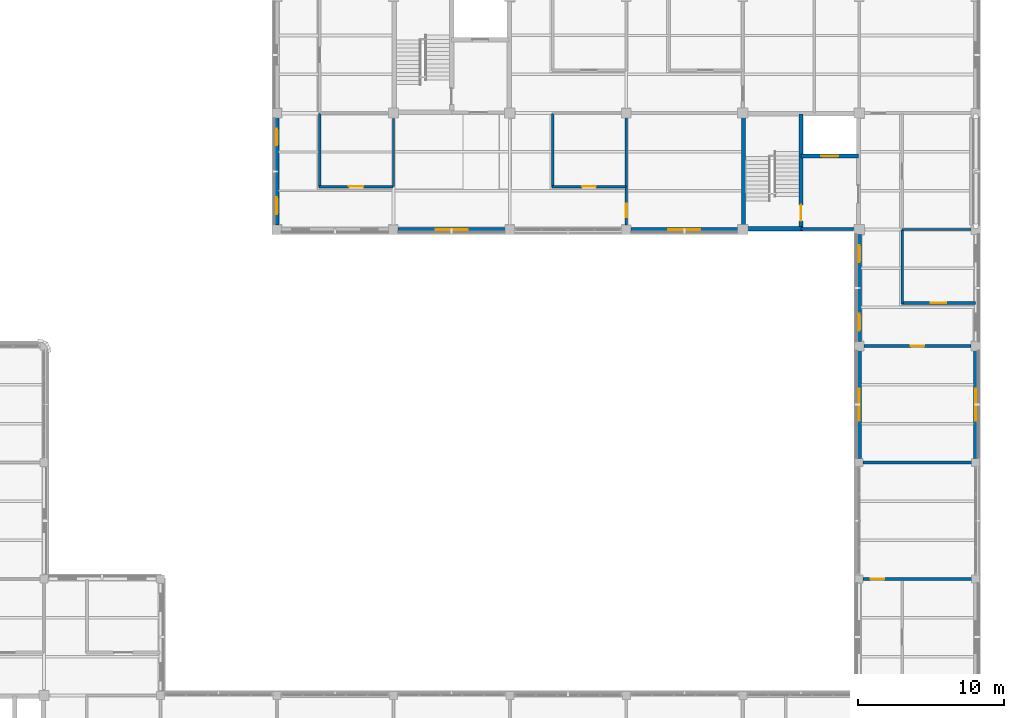
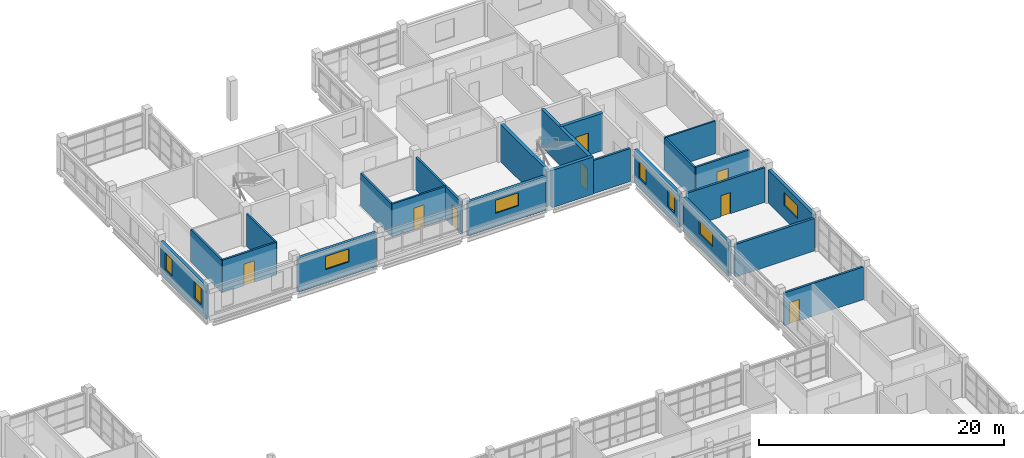
# One storey, part 86 of 107: 23 walls, 8 doors, 8 windows, 16 openings.
"""IFC4 building model written with IfcOpenShell, lengths in metres."""

import ifcopenshell
import ifcopenshell.guid

model = None  # the IFC model being written
_history = None  # IfcOwnerHistory: only IFC2X3 demands one
_inside = {}  # id of a spatial element -> (the spatial element, [elements in it])
_under = {}  # id of a project, library or spatial element -> (it, [spatial elements below it])
_declared = {}  # id of a project -> (the project, [libraries it declares])
_typed = {}  # id of a type object -> (the type object, [elements of that type])
_made_of = {}  # id of a material, layer set ... -> (it, [elements and type objects made of it])


def new_model(schema):
    """Start an empty IFC model of exactly this schema.

    Asked for "IFC4X3", IfcOpenShell would pick the latest addendum, in which some entities
    have other attributes; the version numbers below select the first issue.
    IFC2X3 requires an IfcOwnerHistory on every rooted entity: one is made here for all.
    """
    global model, _history
    if schema == "IFC4X3":
        model = ifcopenshell.file(schema_version=(4, 3, 0, 0))
    else:
        model = ifcopenshell.file(schema=schema)
    _inside.clear()
    _under.clear()
    _declared.clear()
    _typed.clear()
    _made_of.clear()
    _history = None
    if model.schema == "IFC2X3":
        org = make("IfcOrganization", Name="unknown")
        user = make(
            "IfcPersonAndOrganization",
            ThePerson=make("IfcPerson", FamilyName="unknown"),
            TheOrganization=org,
        )
        app = make(
            "IfcApplication",
            ApplicationDeveloper=org,
            Version="unknown",
            ApplicationFullName="unknown",
            ApplicationIdentifier="unknown",
        )
        _history = make(
            "IfcOwnerHistory",
            OwningUser=user,
            OwningApplication=app,
            ChangeAction="ADDED",
            CreationDate=0,
        )
    return model


def make(cls, **values):
    """One entity of the class cls with the attributes given. An attribute that is None is left unset."""
    return model.create_entity(
        cls, **{name: value for name, value in values.items() if value is not None}
    )


def rooted(cls, **values):
    """An entity with a GlobalId (a new one), such as an element, a storey or a relation."""
    return make(cls, GlobalId=ifcopenshell.guid.new(), OwnerHistory=_history, **values)


def si_unit(unit_type, name, prefix=None):
    """IfcSIUnit, for example si_unit("LENGTHUNIT", "METRE", prefix="MILLI")."""
    return make("IfcSIUnit", UnitType=unit_type, Prefix=prefix, Name=name)


def derived_unit(unit_type, elements):
    """IfcDerivedUnit: a product of units, each with its exponent."""
    return make(
        "IfcDerivedUnit",
        Elements=[
            make("IfcDerivedUnitElement", Unit=unit, Exponent=power)
            for unit, power in elements
        ],
        UnitType=unit_type,
    )


def assignment(units):
    """IfcUnitAssignment: the units of a project."""
    return None if units is None else make("IfcUnitAssignment", Units=units)


def point(xyz):
    """IfcCartesianPoint."""
    return None if xyz is None else make("IfcCartesianPoint", Coordinates=xyz)


def direction(xyz):
    """IfcDirection."""
    return None if xyz is None else make("IfcDirection", DirectionRatios=xyz)


def frame(location, z_axis=None, x_axis=None):
    """IfcAxis2Placement3D, a coordinate frame: its origin and axes. An axis left out is left unset."""
    return make(
        "IfcAxis2Placement3D",
        Location=point(location),
        Axis=direction(z_axis),
        RefDirection=direction(x_axis),
    )


def frame_2d(location, x_axis=None):
    """IfcAxis2Placement2D, a coordinate frame in the plane: its origin and x axis."""
    return make(
        "IfcAxis2Placement2D", Location=point(location), RefDirection=direction(x_axis)
    )


def origin():
    """The frame at (0, 0, 0) with its axes left unset."""
    return frame((0.0, 0.0, 0.0))


def place(relative_to, where):
    """IfcLocalPlacement: puts the frame where relative to a parent placement (None: the world)."""
    return make(
        "IfcLocalPlacement", PlacementRelTo=relative_to, RelativePlacement=where
    )


def context(
    kind, dimensions, precision=None, world=None, true_north=None, identifier=None
):
    """IfcGeometricRepresentationContext, for example the 3D "Model" context."""
    return make(
        "IfcGeometricRepresentationContext",
        ContextIdentifier=identifier,
        ContextType=kind,
        CoordinateSpaceDimension=dimensions,
        Precision=precision,
        WorldCoordinateSystem=world,
        TrueNorth=true_north,
    )


def subcontext(parent, identifier, kind, view, scale=None):
    """IfcGeometricRepresentationSubContext, for example "Body" below "Model"."""
    return make(
        "IfcGeometricRepresentationSubContext",
        ContextIdentifier=identifier,
        ContextType=kind,
        ParentContext=parent,
        TargetScale=scale,
        TargetView=view,
    )


def project(units=None, contexts=None):
    """IfcProject with its units and contexts."""
    return rooted(
        "IfcProject",
        Name="project",
        RepresentationContexts=contexts,
        UnitsInContext=assignment(units),
    )


def spatial(cls, under=None, at=None, **own):
    """A site, building, storey or space (cls), placed at a placement, below another one or the project."""
    s = rooted(cls, ObjectPlacement=at, **own)
    if under is not None:
        _under.setdefault(under.id(), (under, []))[1].append(s)
    return s


def profile(cls, at=None, kind="AREA", **sizes):
    """A parametric profile (cls). Its sizes go by their IFC names, for example OverallWidth=200.0."""
    return make(cls, ProfileType=kind, Position=at, **sizes)


def rectangle(**sizes):
    """IfcRectangleProfileDef."""
    return profile("IfcRectangleProfileDef", **sizes)


def extrude(swept, where, along, depth):
    """IfcExtrudedAreaSolid: the profile swept, set in the frame where, extruded along a direction by depth."""
    return make(
        "IfcExtrudedAreaSolid",
        SweptArea=swept,
        Position=where,
        ExtrudedDirection=direction(along),
        Depth=depth,
    )


def shape(context_of_items, identifier, shape_type, items):
    """IfcShapeRepresentation: the items that make up one representation, for example the "Body"."""
    return make(
        "IfcShapeRepresentation",
        ContextOfItems=context_of_items,
        RepresentationIdentifier=identifier,
        RepresentationType=shape_type,
        Items=items,
    )


def material(Name=None, Category=None):
    """IfcMaterial."""
    return make("IfcMaterial", Name=Name, Category=Category)


def layer(
    of_material, thickness, ventilated=None, Name=None, Category=None, Priority=None
):
    """IfcMaterialLayer: one layer of a wall or slab, of a material (None: an air gap)."""
    return make(
        "IfcMaterialLayer",
        Material=of_material,
        LayerThickness=thickness,
        IsVentilated=ventilated,
        Name=Name,
        Category=Category,
        Priority=Priority,
    )


def layer_set(layers, Name=None):
    """IfcMaterialLayerSet."""
    return make("IfcMaterialLayerSet", MaterialLayers=layers, LayerSetName=Name)


def made_of(thing, what):
    """Note that an element or type object is made of a material, layer set ...; save() writes the relation."""
    if what is not None:
        _made_of.setdefault(what.id(), (what, []))[1].append(thing)
    return thing


def type_object(cls, material=None, **own):
    """A type object (cls), such as IfcWallType, which elements share."""
    return made_of(rooted(cls, **own), material)


def element(
    cls,
    number,
    at=None,
    inside=None,
    cuts=None,
    type_object=None,
    material=None,
    context=None,
    identifier="Body",
    shape_type=None,
    held_by="IfcProductDefinitionShape",
    body=None,
    shapes=None,
    **own,
):
    """One element of the class cls, such as IfcWall. Its Tag is "e" and its number.

    at: its placement. inside: the storey or other place that contains it. cuts: it is an
    opening in that element (IfcRelVoidsElement). A single representation is given by context,
    identifier, shape_type and body (its items); several are given by shapes. held_by: the class
    of the entity that holds the representations. save() writes the other relations.
    """
    e = rooted(cls, Tag="e%d" % number, ObjectPlacement=at, **own)
    if body is not None:
        shapes = [shape(context, identifier, shape_type, body)]
    if shapes is not None:
        e.Representation = make(held_by, Representations=shapes)
    if inside is not None:
        _inside.setdefault(inside.id(), (inside, []))[1].append(e)
    if cuts is not None:
        rooted(
            "IfcRelVoidsElement", RelatingBuildingElement=cuts, RelatedOpeningElement=e
        )
    if type_object is not None:
        _typed.setdefault(type_object.id(), (type_object, []))[1].append(e)
    return made_of(e, material)


def fill(opening, filler):
    """IfcRelFillsElement: the door or window that sits in an opening."""
    return rooted(
        "IfcRelFillsElement",
        RelatingOpeningElement=opening,
        RelatedBuildingElement=filler,
    )


def aggregate(whole, parts):
    """IfcRelAggregates: a whole, such as a stair, and the parts it consists of."""
    return rooted("IfcRelAggregates", RelatingObject=whole, RelatedObjects=parts)


def save(model, path):
    """Write the relations noted so far, then the file.

    IfcRelAggregates (storeys below a building ...), IfcRelContainedInSpatialStructure (elements
    in a storey), IfcRelDefinesByType, IfcRelAssociatesMaterial and IfcRelDeclares: one each for
    every whole, place, type object, material and project.
    """
    for whole, parts in _under.values():
        aggregate(whole, parts)
    for where, things in _inside.values():
        rooted(
            "IfcRelContainedInSpatialStructure",
            RelatedElements=things,
            RelatingStructure=where,
        )
    for kind, things in _typed.values():
        rooted("IfcRelDefinesByType", RelatedObjects=things, RelatingType=kind)
    for what, things in _made_of.values():
        rooted("IfcRelAssociatesMaterial", RelatedObjects=things, RelatingMaterial=what)
    for by, libraries in _declared.values():
        rooted("IfcRelDeclares", RelatingContext=by, RelatedDefinitions=libraries)
    model.write(path)


model = new_model("IFC4")

# Units and contexts
model_context = context("Model", 3, precision=1e-05, world=origin(), true_north=direction((0.0, 1.0)))
body_context = subcontext(model_context, "Body", "Model", "MODEL_VIEW")
ifc_project = project(units=[si_unit("LENGTHUNIT", "METRE"), si_unit("AREAUNIT", "SQUARE_METRE"), si_unit("VOLUMEUNIT", "CUBIC_METRE"), si_unit("PLANEANGLEUNIT", "RADIAN"), si_unit("MASSUNIT", "GRAM", prefix="KILO"), derived_unit("THERMALTRANSMITTANCEUNIT", [(si_unit("MASSUNIT", "GRAM", prefix="KILO"), 1), (si_unit("TIMEUNIT", "SECOND"), -3), (si_unit("THERMODYNAMICTEMPERATUREUNIT", "KELVIN"), -1)])], contexts=[model_context])

# Site, building, storey
site_placement = place(None, origin())
site = spatial("IfcSite", under=ifc_project, at=site_placement, CompositionType="ELEMENT")
building_placement = place(site_placement, origin())
building = spatial("IfcBuilding", under=site, at=building_placement, Name="Veyamyaing Civic Hall", CompositionType="ELEMENT")
storey_placement = place(building_placement, frame((0.0, 0.0, 13.860107421875)))
storey = spatial("IfcBuildingStorey", under=building, at=storey_placement, Name="L03", CompositionType="ELEMENT", Elevation=13.860107421875)

# Wall, openings, windows
ifc_material_1 = material(Name="Precast concrete C40/50", Category="concrete")
ifc_layer_1 = layer(ifc_material_1, 0.280029296875, Name="Precast concrete C40/50")
ifc_layer_set_1 = layer_set([ifc_layer_1], Name="Precast concrete C40/50")
wall_type_1 = type_object("IfcWallType", Name="WT-04", PredefinedType="SOLIDWALL", material=ifc_layer_set_1)
wall_1_placement = place(storey_placement, frame((128.0, 88.31005859375, 0.0), z_axis=(0.0, 0.0, 1.0), x_axis=(0.0, 1.0, 0.0)))
wall_1 = element("IfcWall", 1, at=wall_1_placement, inside=storey, type_object=wall_type_1, Name="Exterior facade wall WT-04 L03 W 17.12", PredefinedType="SOLIDWALL", context=body_context, shape_type="SweptSolid", body=[
    extrude(rectangle(XDim=7.3798828125, YDim=0.280029296875, at=frame_2d((3.68994140625, 0.0))), origin(), (0.0, 0.0, 1.0), 3.303955078125),
])
opening_1_placement = place(wall_1_placement, frame((0.75341796875, 0.0, 0.949951171875)))
opening_1 = element("IfcOpeningElement", 2, at=opening_1_placement, cuts=wall_1, Name="Opening W-32", PredefinedType="OPENING", context=body_context, shape_type="SweptSolid", body=[
    extrude(rectangle(XDim=1.14990234375, YDim=1.64990234375, at=frame_2d((0.574951171875, 0.824951171875))), frame((0.0, 0.14990234375, 0.0), z_axis=(0.0, -1.0, 0.0), x_axis=(1.0, 0.0, 0.0)), (0.0, 0.0, 1.0), 0.300048828125),
])
opening_2_placement = place(wall_1_placement, frame((5.4765625, 0.0, 0.949951171875)))
opening_2 = element("IfcOpeningElement", 3, at=opening_2_placement, cuts=wall_1, Name="Opening W-32", PredefinedType="OPENING", context=body_context, shape_type="SweptSolid", body=[
    extrude(rectangle(XDim=1.14990234375, YDim=1.64990234375, at=frame_2d((0.574951171875, 0.824951171875))), frame((0.0, 0.14990234375, 0.0), z_axis=(0.0, -1.0, 0.0), x_axis=(1.0, 0.0, 0.0)), (0.0, 0.0, 1.0), 0.300048828125),
])
ifc_material_2 = material(Name="Low-E insulated glass", Category="glass")
window_type_1 = type_object("IfcWindowType", Name="W-32", PartitioningType="SINGLE_PANEL", PredefinedType="WINDOW", material=ifc_material_2)
window_1_placement = place(opening_1_placement, origin())
window_1 = element("IfcWindow", 4, at=window_1_placement, inside=storey, type_object=window_type_1, Name="Facade window W-32 L03 W 17.12.1", OverallHeight=1.64990234375, OverallWidth=1.14990234375, PartitioningType="SINGLE_PANEL", PredefinedType="WINDOW", context=body_context, shape_type="SweptSolid", body=[
    extrude(rectangle(XDim=1.14990234375, YDim=1.64990234375, at=frame_2d((0.574951171875, 0.824951171875))), frame((0.0, 0.030029296875, 0.0), z_axis=(0.0, -1.0, 0.0), x_axis=(1.0, 0.0, 0.0)), (0.0, 0.0, 1.0), 0.06005859375),
])
fill(opening_1, window_1)
window_2_placement = place(opening_2_placement, origin())
window_2 = element("IfcWindow", 5, at=window_2_placement, inside=storey, type_object=window_type_1, Name="Facade window W-32 L03 W 17.12.2", OverallHeight=1.64990234375, OverallWidth=1.14990234375, PartitioningType="SINGLE_PANEL", PredefinedType="WINDOW", context=body_context, shape_type="SweptSolid", body=[
    extrude(rectangle(XDim=1.14990234375, YDim=1.64990234375, at=frame_2d((0.574951171875, 0.824951171875))), frame((0.0, 0.030029296875, 0.0), z_axis=(0.0, -1.0, 0.0), x_axis=(1.0, 0.0, 0.0)), (0.0, 0.0, 1.0), 0.06005859375),
])
fill(opening_2, window_2)

# Wall, opening, window
wall_2_placement = place(storey_placement, frame((136.31005859375, 88.0, 0.0), z_axis=(0.0, 0.0, 1.0), x_axis=(1.0, 0.0, 0.0)))
wall_2 = element("IfcWall", 6, at=wall_2_placement, inside=storey, type_object=wall_type_1, Name="Exterior facade wall WT-04 L03 S 18.12", PredefinedType="SOLIDWALL", context=body_context, shape_type="SweptSolid", body=[
    extrude(rectangle(XDim=7.3798828125, YDim=0.280029296875, at=frame_2d((3.68994140625, 0.0))), origin(), (0.0, 0.0, 1.0), 3.366943359375),
])
opening_3_placement = place(wall_2_placement, frame((2.590087890625, 0.0, 1.35009765625)))
opening_3 = element("IfcOpeningElement", 7, at=opening_3_placement, cuts=wall_2, Name="Opening W-18", PredefinedType="OPENING", context=body_context, shape_type="SweptSolid", body=[
    extrude(rectangle(XDim=2.199951171875, YDim=1.300048828125, at=frame_2d((1.10009765625, 0.64990234375))), frame((0.0, 0.14990234375, 0.0), z_axis=(0.0, -1.0, 0.0), x_axis=(1.0, 0.0, 0.0)), (0.0, 0.0, 1.0), 0.300048828125),
])
window_type_2 = type_object("IfcWindowType", Name="W-18", PartitioningType="SINGLE_PANEL", PredefinedType="WINDOW", material=ifc_material_2)
window_3_placement = place(opening_3_placement, origin())
window_3 = element("IfcWindow", 8, at=window_3_placement, inside=storey, type_object=window_type_2, Name="Facade window W-18 L03 S 18.12", OverallHeight=1.300048828125, OverallWidth=2.199951171875, PartitioningType="SINGLE_PANEL", PredefinedType="WINDOW", context=body_context, shape_type="SweptSolid", body=[
    extrude(rectangle(XDim=2.199951171875, YDim=1.300048828125, at=frame_2d((1.10009765625, 0.64990234375))), frame((0.0, 0.030029296875, 0.0), z_axis=(0.0, -1.0, 0.0), x_axis=(1.0, 0.0, 0.0)), (0.0, 0.0, 1.0), 0.06005859375),
])
fill(opening_3, window_3)

wall_3_placement = place(storey_placement, frame((152.31005859375, 88.0, 0.0), z_axis=(0.0, 0.0, 1.0), x_axis=(1.0, 0.0, 0.0)))
wall_3 = element("IfcWall", 9, at=wall_3_placement, inside=storey, type_object=wall_type_1, Name="Exterior facade wall WT-04 L03 S 20.12", PredefinedType="SOLIDWALL", context=body_context, shape_type="SweptSolid", body=[
    extrude(rectangle(XDim=7.35498046875, YDim=0.280029296875, at=frame_2d((3.677490234375, 0.0))), origin(), (0.0, 0.0, 1.0), 3.364013671875),
])
opening_4_placement = place(wall_3_placement, frame((2.577392578125, 0.0, 1.35009765625)))
opening_4 = element("IfcOpeningElement", 10, at=opening_4_placement, cuts=wall_3, Name="Opening W-18", PredefinedType="OPENING", context=body_context, shape_type="SweptSolid", body=[
    extrude(rectangle(XDim=2.199951171875, YDim=1.300048828125, at=frame_2d((1.10009765625, 0.64990234375))), frame((0.0, 0.14990234375, 0.0), z_axis=(0.0, -1.0, 0.0), x_axis=(1.0, 0.0, 0.0)), (0.0, 0.0, 1.0), 0.300048828125),
])
window_4_placement = place(opening_4_placement, origin())
window_4 = element("IfcWindow", 11, at=window_4_placement, inside=storey, type_object=window_type_2, Name="Facade window W-18 L03 S 20.12", OverallHeight=1.300048828125, OverallWidth=2.199951171875, PartitioningType="SINGLE_PANEL", PredefinedType="WINDOW", context=body_context, shape_type="SweptSolid", body=[
    extrude(rectangle(XDim=2.199951171875, YDim=1.300048828125, at=frame_2d((1.10009765625, 0.64990234375))), frame((0.0, 0.030029296875, 0.0), z_axis=(0.0, -1.0, 0.0), x_axis=(1.0, 0.0, 0.0)), (0.0, 0.0, 1.0), 0.06005859375),
])
fill(opening_4, window_4)

wall_4_placement = place(storey_placement, frame((168.0, 72.260009765625, 0.0), z_axis=(0.0, 0.0, 1.0), x_axis=(0.0, 1.0, 0.0)))
wall_4 = element("IfcWall", 12, at=wall_4_placement, inside=storey, type_object=wall_type_1, Name="Exterior facade wall WT-04 L03 W 22.10", PredefinedType="SOLIDWALL", context=body_context, shape_type="SweptSolid", body=[
    extrude(rectangle(XDim=7.429931640625, YDim=0.280029296875, at=frame_2d((3.71484375, 0.0))), origin(), (0.0, 0.0, 1.0), 3.364013671875),
])
opening_5_placement = place(wall_4_placement, frame((2.614990234375, 0.0, 1.35009765625)))
opening_5 = element("IfcOpeningElement", 13, at=opening_5_placement, cuts=wall_4, Name="Opening W-18", PredefinedType="OPENING", context=body_context, shape_type="SweptSolid", body=[
    extrude(rectangle(XDim=2.199951171875, YDim=1.300048828125, at=frame_2d((1.10009765625, 0.64990234375))), frame((0.0, 0.14990234375, 0.0), z_axis=(0.0, -1.0, 0.0), x_axis=(1.0, 0.0, 0.0)), (0.0, 0.0, 1.0), 0.300048828125),
])
window_5_placement = place(opening_5_placement, origin())
window_5 = element("IfcWindow", 14, at=window_5_placement, inside=storey, type_object=window_type_2, Name="Facade window W-18 L03 W 22.10", OverallHeight=1.300048828125, OverallWidth=2.199951171875, PartitioningType="SINGLE_PANEL", PredefinedType="WINDOW", context=body_context, shape_type="SweptSolid", body=[
    extrude(rectangle(XDim=2.199951171875, YDim=1.300048828125, at=frame_2d((1.10009765625, 0.64990234375))), frame((0.0, 0.030029296875, 0.0), z_axis=(0.0, -1.0, 0.0), x_axis=(1.0, 0.0, 0.0)), (0.0, 0.0, 1.0), 0.06005859375),
])
fill(opening_5, window_5)

wall_5_placement = place(storey_placement, frame((176.0, 72.260009765625, 0.0), z_axis=(0.0, 0.0, 1.0), x_axis=(0.0, 1.0, 0.0)))
wall_5 = element("IfcWall", 15, at=wall_5_placement, inside=storey, type_object=wall_type_1, Name="Exterior facade wall WT-04 L03 E 22.10", PredefinedType="SOLIDWALL", context=body_context, shape_type="SweptSolid", body=[
    extrude(rectangle(XDim=7.429931640625, YDim=0.280029296875, at=frame_2d((3.71484375, 0.0))), origin(), (0.0, 0.0, 1.0), 3.303955078125),
])
opening_6_placement = place(wall_5_placement, frame((2.614990234375, 0.0, 1.35009765625)))
opening_6 = element("IfcOpeningElement", 16, at=opening_6_placement, cuts=wall_5, Name="Opening W-18", PredefinedType="OPENING", context=body_context, shape_type="SweptSolid", body=[
    extrude(rectangle(XDim=2.199951171875, YDim=1.300048828125, at=frame_2d((1.10009765625, 0.64990234375))), frame((0.0, 0.14990234375, 0.0), z_axis=(0.0, -1.0, 0.0), x_axis=(1.0, 0.0, 0.0)), (0.0, 0.0, 1.0), 0.300048828125),
])
window_6_placement = place(opening_6_placement, origin())
window_6 = element("IfcWindow", 17, at=window_6_placement, inside=storey, type_object=window_type_2, Name="Facade window W-18 L03 E 22.10", OverallHeight=1.300048828125, OverallWidth=2.199951171875, PartitioningType="SINGLE_PANEL", PredefinedType="WINDOW", context=body_context, shape_type="SweptSolid", body=[
    extrude(rectangle(XDim=2.199951171875, YDim=1.300048828125, at=frame_2d((1.10009765625, 0.64990234375))), frame((0.0, 0.030029296875, 0.0), z_axis=(0.0, -1.0, 0.0), x_axis=(1.0, 0.0, 0.0)), (0.0, 0.0, 1.0), 0.06005859375),
])
fill(opening_6, window_6)

# Wall, openings, windows
wall_6_placement = place(storey_placement, frame((168.0, 80.31005859375, 0.0), z_axis=(0.0, 0.0, 1.0), x_axis=(0.0, 1.0, 0.0)))
wall_6 = element("IfcWall", 18, at=wall_6_placement, inside=storey, type_object=wall_type_1, Name="Exterior facade wall WT-04 L03 W 22.11", PredefinedType="SOLIDWALL", context=body_context, shape_type="SweptSolid", body=[
    extrude(rectangle(XDim=7.35498046875, YDim=0.280029296875, at=frame_2d((3.677490234375, 0.0))), origin(), (0.0, 0.0, 1.0), 3.303955078125),
])
opening_7_placement = place(wall_6_placement, frame((0.748779296875, 0.0, 0.949951171875)))
opening_7 = element("IfcOpeningElement", 19, at=opening_7_placement, cuts=wall_6, Name="Opening W-32", PredefinedType="OPENING", context=body_context, shape_type="SweptSolid", body=[
    extrude(rectangle(XDim=1.14990234375, YDim=1.64990234375, at=frame_2d((0.574951171875, 0.824951171875))), frame((0.0, 0.14990234375, 0.0), z_axis=(0.0, -1.0, 0.0), x_axis=(1.0, 0.0, 0.0)), (0.0, 0.0, 1.0), 0.300048828125),
])
opening_8_placement = place(wall_6_placement, frame((5.4560546875, 0.0, 0.949951171875)))
opening_8 = element("IfcOpeningElement", 20, at=opening_8_placement, cuts=wall_6, Name="Opening W-32", PredefinedType="OPENING", context=body_context, shape_type="SweptSolid", body=[
    extrude(rectangle(XDim=1.14990234375, YDim=1.64990234375, at=frame_2d((0.574951171875, 0.824951171875))), frame((0.0, 0.14990234375, 0.0), z_axis=(0.0, -1.0, 0.0), x_axis=(1.0, 0.0, 0.0)), (0.0, 0.0, 1.0), 0.300048828125),
])
window_7_placement = place(opening_7_placement, origin())
window_7 = element("IfcWindow", 21, at=window_7_placement, inside=storey, type_object=window_type_1, Name="Facade window W-32 L03 W 22.11.1", OverallHeight=1.64990234375, OverallWidth=1.14990234375, PartitioningType="SINGLE_PANEL", PredefinedType="WINDOW", context=body_context, shape_type="SweptSolid", body=[
    extrude(rectangle(XDim=1.14990234375, YDim=1.64990234375, at=frame_2d((0.574951171875, 0.824951171875))), frame((0.0, 0.030029296875, 0.0), z_axis=(0.0, -1.0, 0.0), x_axis=(1.0, 0.0, 0.0)), (0.0, 0.0, 1.0), 0.06005859375),
])
fill(opening_7, window_7)
window_8_placement = place(opening_8_placement, origin())
window_8 = element("IfcWindow", 22, at=window_8_placement, inside=storey, type_object=window_type_1, Name="Facade window W-32 L03 W 22.11.2", OverallHeight=1.64990234375, OverallWidth=1.14990234375, PartitioningType="SINGLE_PANEL", PredefinedType="WINDOW", context=body_context, shape_type="SweptSolid", body=[
    extrude(rectangle(XDim=1.14990234375, YDim=1.64990234375, at=frame_2d((0.574951171875, 0.824951171875))), frame((0.0, 0.030029296875, 0.0), z_axis=(0.0, -1.0, 0.0), x_axis=(1.0, 0.0, 0.0)), (0.0, 0.0, 1.0), 0.06005859375),
])
fill(opening_8, window_8)

# Walls
ifc_material_3 = material(Name="Concrete C40/50", Category="concrete")
ifc_layer_2 = layer(ifc_material_3, 0.300048828125, Name="Concrete C40/50")
ifc_layer_set_2 = layer_set([ifc_layer_2], Name="Concrete C40/50")
wall_type_2 = type_object("IfcWallType", Name="WT-05", PredefinedType="SHEAR", material=ifc_layer_set_2)
wall_7_placement = place(storey_placement, frame((160.050048828125, 88.239990234375, 0.0), z_axis=(0.0, 0.0, 1.0), x_axis=(0.0, 1.0, 0.0)))
element("IfcWall", 23, at=wall_7_placement, inside=storey, type_object=wall_type_2, Name="Core shear wall WT-05 CORE-3 L03.W", PredefinedType="SHEAR", context=body_context, shape_type="SweptSolid", body=[
    extrude(rectangle(XDim=7.52001953125, YDim=0.300048828125, at=frame_2d((3.760009765625, 0.0))), origin(), (0.0, 0.0, 1.0), 3.724853515625),
])
wall_8_placement = place(storey_placement, frame((160.239990234375, 88.050048828125, 0.0), z_axis=(0.0, 0.0, 1.0), x_axis=(1.0, 0.0, 0.0)))
element("IfcWall", 24, at=wall_8_placement, inside=storey, type_object=wall_type_2, Name="Core shear wall WT-05 CORE-3 L03.SS", PredefinedType="SHEAR", context=body_context, shape_type="SweptSolid", body=[
    extrude(rectangle(XDim=3.909912109375, YDim=0.300048828125, at=frame_2d((1.955078125, 0.0))), origin(), (0.0, 0.0, 1.0), 3.724853515625),
])

# Wall, opening, door
wall_9_placement = place(storey_placement, frame((164.0, 88.050048828125, 0.0), z_axis=(0.0, 0.0, 1.0), x_axis=(0.0, 1.0, 0.0)))
wall_9 = element("IfcWall", 25, at=wall_9_placement, inside=storey, type_object=wall_type_2, Name="Core shear wall WT-05 CORE-3 L03.MID", PredefinedType="SHEAR", context=body_context, shape_type="SweptSolid", body=[
    extrude(rectangle(XDim=7.89990234375, YDim=0.300048828125, at=frame_2d((3.949951171875, 0.0))), origin(), (0.0, 0.0, 1.0), 3.724853515625),
])
opening_9_placement = place(wall_9_placement, frame((0.550048828125, 0.0, 0.0)))
opening_9 = element("IfcOpeningElement", 26, at=opening_9_placement, cuts=wall_9, Name="Opening D-03", PredefinedType="OPENING", context=body_context, shape_type="SweptSolid", body=[
    extrude(rectangle(XDim=1.10009765625, YDim=2.14990234375, at=frame_2d((0.550048828125, 1.074951171875))), frame((0.0, 0.159912109375, 0.0), z_axis=(0.0, -1.0, 0.0), x_axis=(1.0, 0.0, 0.0)), (0.0, 0.0, 1.0), 0.320068359375),
])
ifc_material_4 = material(Name="Galvanized steel S355J2", Category="steel")
door_type_1 = type_object("IfcDoorType", Name="D-03", OperationType="NOTDEFINED", PredefinedType="DOOR", material=ifc_material_4)
door_1_placement = place(opening_9_placement, origin())
door_1 = element("IfcDoor", 27, at=door_1_placement, inside=storey, type_object=door_type_1, Name="Exit stair fire door D-03 ST-03 L03", OperationType="SINGLE_SWING_LEFT", OverallHeight=2.14990234375, OverallWidth=1.10009765625, PredefinedType="DOOR", context=body_context, shape_type="SweptSolid", body=[
    extrude(rectangle(XDim=1.10009765625, YDim=2.14990234375, at=frame_2d((0.550048828125, 1.074951171875))), frame((0.0, 0.02490234375, 0.0), z_axis=(0.0, -1.0, 0.0), x_axis=(1.0, 0.0, 0.0)), (0.0, 0.0, 1.0), 0.050048828125),
])
fill(opening_9, door_1)

wall_10_placement = place(storey_placement, frame((164.0, 93.050048828125, 0.0), z_axis=(0.0, 0.0, 1.0), x_axis=(1.0, 0.0, 0.0)))
wall_10 = element("IfcWall", 28, at=wall_10_placement, inside=storey, type_object=wall_type_2, Name="Core shear wall WT-05 CORE-3 L03.LFT", PredefinedType="SHEAR", context=body_context, shape_type="SweptSolid", body=[
    extrude(rectangle(XDim=3.949951171875, YDim=0.300048828125, at=frame_2d((1.97509765625, 0.0))), origin(), (0.0, 0.0, 1.0), 3.724853515625),
])
opening_10_placement = place(wall_10_placement, frame((1.375, 0.0, 0.0)))
opening_10 = element("IfcOpeningElement", 29, at=opening_10_placement, cuts=wall_10, Name="Opening LD-02", PredefinedType="OPENING", context=body_context, shape_type="SweptSolid", body=[
    extrude(rectangle(XDim=1.199951171875, YDim=2.199951171875, at=frame_2d((0.60009765625, 1.10009765625))), frame((0.0, 0.159912109375, 0.0), z_axis=(0.0, -1.0, 0.0), x_axis=(1.0, 0.0, 0.0)), (0.0, 0.0, 1.0), 0.320068359375),
])
door_type_2 = type_object("IfcDoorType", Name="LD-02", OperationType="SLIDING_TO_LEFT", PredefinedType="DOOR", material=ifc_material_4)
door_2_placement = place(opening_10_placement, origin())
door_2 = element("IfcDoor", 30, at=door_2_placement, inside=storey, type_object=door_type_2, Name="Lift sliding landing door LD-02 FL-02 L03", OperationType="SLIDING_TO_LEFT", OverallHeight=2.199951171875, OverallWidth=1.199951171875, PredefinedType="DOOR", context=body_context, shape_type="SweptSolid", body=[
    extrude(rectangle(XDim=1.199951171875, YDim=2.199951171875, at=frame_2d((0.60009765625, 1.10009765625))), frame((0.0, 0.02490234375, 0.0), z_axis=(0.0, -1.0, 0.0), x_axis=(1.0, 0.0, 0.0)), (0.0, 0.0, 1.0), 0.050048828125),
])
fill(opening_10, door_2)

# Wall
ifc_layer_3 = layer(ifc_material_3, 0.199951171875, Name="Concrete C40/50")
ifc_layer_set_3 = layer_set([ifc_layer_3], Name="Concrete C40/50")
wall_type_3 = type_object("IfcWallType", Name="WT-06", PredefinedType="PARTITIONING", material=ifc_layer_set_3)
wall_11_placement = place(storey_placement, frame((164.0, 88.050048828125, 0.0), z_axis=(0.0, 0.0, 1.0), x_axis=(1.0, 0.0, 0.0)))
element("IfcWall", 31, at=wall_11_placement, inside=storey, type_object=wall_type_3, Name="Firefighting lift lobby wall WT-06 CORE-3 L03", PredefinedType="PARTITIONING", context=body_context, shape_type="SweptSolid", body=[
    extrude(rectangle(XDim=3.659912109375, YDim=0.199951171875, at=frame_2d((1.830078125, 0.0))), origin(), (0.0, 0.0, 1.0), 3.296875),
])

# Wall, opening, door
wall_12_placement = place(storey_placement, frame((152.0, 88.31494140625, 0.0), z_axis=(0.0, 0.0, 1.0), x_axis=(0.0, 1.0, 0.0)))
wall_12 = element("IfcWall", 32, at=wall_12_placement, inside=storey, type_object=wall_type_3, Name="Interior partition wall WT-06 L03.24", PredefinedType="PARTITIONING", context=body_context, shape_type="SweptSolid", body=[
    extrude(rectangle(XDim=7.3701171875, YDim=0.199951171875, at=frame_2d((3.68505859375, 0.0))), origin(), (0.0, 0.0, 1.0), 3.246826171875),
])
opening_11_placement = place(wall_12_placement, frame((0.52001953125, 0.0, 0.0)))
opening_11 = element("IfcOpeningElement", 33, at=opening_11_placement, cuts=wall_12, Name="Opening D-30", PredefinedType="OPENING", context=body_context, shape_type="SweptSolid", body=[
    extrude(rectangle(XDim=0.93994140625, YDim=2.1201171875, at=frame_2d((0.469970703125, 1.06005859375))), frame((0.0, 0.10986328125, 0.0), z_axis=(0.0, -1.0, 0.0), x_axis=(1.0, 0.0, 0.0)), (0.0, 0.0, 1.0), 0.219970703125),
])
ifc_material_5 = material(Name="Teak-veneered acoustic timber", Category="wood")
door_type_3 = type_object("IfcDoorType", Name="D-30", OperationType="NOTDEFINED", PredefinedType="DOOR", material=ifc_material_5)
door_3_placement = place(opening_11_placement, frame((0.93994140625, 0.0, 0.0), z_axis=(0.0, 0.0, 1.0), x_axis=(-1.0, 0.0, 0.0)))
door_3 = element("IfcDoor", 34, at=door_3_placement, inside=storey, type_object=door_type_3, Name="Interior door D-30 L03.24", OperationType="SINGLE_SWING_RIGHT", OverallHeight=2.1201171875, OverallWidth=0.93994140625, PredefinedType="DOOR", context=body_context, shape_type="SweptSolid", body=[
    extrude(rectangle(XDim=0.93994140625, YDim=2.1201171875, at=frame_2d((0.469970703125, 1.06005859375))), frame((0.0, 0.02490234375, 0.0), z_axis=(0.0, -1.0, 0.0), x_axis=(1.0, 0.0, 0.0)), (0.0, 0.0, 1.0), 0.050048828125),
])
fill(opening_11, door_3)

wall_13_placement = place(storey_placement, frame((168.264892578125, 64.0, 0.0), z_axis=(0.0, 0.0, 1.0), x_axis=(1.0, 0.0, 0.0)))
wall_13 = element("IfcWall", 35, at=wall_13_placement, inside=storey, type_object=wall_type_3, Name="Interior partition wall WT-06 L03.37", PredefinedType="PARTITIONING", context=body_context, shape_type="SweptSolid", body=[
    extrude(rectangle(XDim=7.47021484375, YDim=0.199951171875, at=frame_2d((3.735107421875, 0.0))), origin(), (0.0, 0.0, 1.0), 3.2529296875),
])
opening_12_placement = place(wall_13_placement, frame((0.52001953125, 0.0, 0.0)))
opening_12 = element("IfcOpeningElement", 36, at=opening_12_placement, cuts=wall_13, Name="Opening D-30", PredefinedType="OPENING", context=body_context, shape_type="SweptSolid", body=[
    extrude(rectangle(XDim=0.93994140625, YDim=2.1201171875, at=frame_2d((0.469970703125, 1.06005859375))), frame((0.0, 0.10986328125, 0.0), z_axis=(0.0, -1.0, 0.0), x_axis=(1.0, 0.0, 0.0)), (0.0, 0.0, 1.0), 0.219970703125),
])
door_4_placement = place(opening_12_placement, origin())
door_4 = element("IfcDoor", 37, at=door_4_placement, inside=storey, type_object=door_type_3, Name="Interior door D-30 L03.37", OperationType="SINGLE_SWING_RIGHT", OverallHeight=2.1201171875, OverallWidth=0.93994140625, PredefinedType="DOOR", context=body_context, shape_type="SweptSolid", body=[
    extrude(rectangle(XDim=0.93994140625, YDim=2.1201171875, at=frame_2d((0.469970703125, 1.06005859375))), frame((0.0, 0.02490234375, 0.0), z_axis=(0.0, -1.0, 0.0), x_axis=(1.0, 0.0, 0.0)), (0.0, 0.0, 1.0), 0.050048828125),
])
fill(opening_12, door_4)

wall_14_placement = place(storey_placement, frame((168.31494140625, 80.0, 0.0), z_axis=(0.0, 0.0, 1.0), x_axis=(1.0, 0.0, 0.0)))
wall_14 = element("IfcWall", 38, at=wall_14_placement, inside=storey, type_object=wall_type_3, Name="Interior partition wall WT-06 L03.39", PredefinedType="PARTITIONING", context=body_context, shape_type="SweptSolid", body=[
    extrude(rectangle(XDim=7.3701171875, YDim=0.199951171875, at=frame_2d((3.68505859375, 0.0))), origin(), (0.0, 0.0, 1.0), 3.451904296875),
])
opening_13_placement = place(wall_14_placement, frame((3.22509765625, 0.0, 0.0)))
opening_13 = element("IfcOpeningElement", 39, at=opening_13_placement, cuts=wall_14, Name="Opening D-16", PredefinedType="OPENING", context=body_context, shape_type="SweptSolid", body=[
    extrude(rectangle(XDim=0.919921875, YDim=2.10009765625, at=frame_2d((0.4599609375, 1.050048828125))), frame((0.0, 0.10986328125, 0.0), z_axis=(0.0, -1.0, 0.0), x_axis=(1.0, 0.0, 0.0)), (0.0, 0.0, 1.0), 0.219970703125),
])
door_type_4 = type_object("IfcDoorType", Name="D-16", OperationType="NOTDEFINED", PredefinedType="DOOR", material=ifc_material_5)
door_5_placement = place(opening_13_placement, frame((0.919921875, 0.0, 0.0), z_axis=(0.0, 0.0, 1.0), x_axis=(-1.0, 0.0, 0.0)))
door_5 = element("IfcDoor", 40, at=door_5_placement, inside=storey, type_object=door_type_4, Name="Interior door D-16 L03.39", OperationType="SINGLE_SWING_LEFT", OverallHeight=2.10009765625, OverallWidth=0.919921875, PredefinedType="DOOR", context=body_context, shape_type="SweptSolid", body=[
    extrude(rectangle(XDim=0.919921875, YDim=2.10009765625, at=frame_2d((0.4599609375, 1.050048828125))), frame((0.0, 0.02490234375, 0.0), z_axis=(0.0, -1.0, 0.0), x_axis=(1.0, 0.0, 0.0)), (0.0, 0.0, 1.0), 0.050048828125),
])
fill(opening_13, door_5)

ifc_material_6 = material(Name="Gypsum board on acoustic steel stud", Category="steel")
ifc_layer_4 = layer(ifc_material_6, 0.175048828125, Name="Gypsum board on acoustic steel stud")
ifc_layer_set_4 = layer_set([ifc_layer_4], Name="Gypsum board on acoustic steel stud")
wall_type_4 = type_object("IfcWallType", Name="WT-07", PredefinedType="PARTITIONING", material=ifc_layer_set_4)
wall_15_placement = place(storey_placement, frame((130.89990234375, 90.949951171875, 0.0), z_axis=(0.0, 0.0, 1.0), x_axis=(1.0, 0.0, 0.0)))
wall_15 = element("IfcWall", 41, at=wall_15_placement, inside=storey, type_object=wall_type_4, Name="Corridor gallery partition WT-07 L03.37.1", PredefinedType="PARTITIONING", context=body_context, shape_type="SweptSolid", body=[
    extrude(rectangle(XDim=5.080078125, YDim=0.175048828125, at=frame_2d((2.5400390625, 0.0))), origin(), (0.0, 0.0, 1.0), 3.2529296875),
])
opening_14_placement = place(wall_15_placement, frame((2.0400390625, 0.0, 0.0)))
opening_14 = element("IfcOpeningElement", 42, at=opening_14_placement, cuts=wall_15, Name="Opening D-13", PredefinedType="OPENING", context=body_context, shape_type="SweptSolid", body=[
    extrude(rectangle(XDim=1.0, YDim=2.14990234375, at=frame_2d((0.5, 1.074951171875))), frame((0.0, 0.097412109375, 0.0), z_axis=(0.0, -1.0, 0.0), x_axis=(1.0, 0.0, 0.0)), (0.0, 0.0, 1.0), 0.195068359375),
])
door_type_5 = type_object("IfcDoorType", Name="D-13", OperationType="NOTDEFINED", PredefinedType="DOOR", material=ifc_material_5)
door_6_placement = place(opening_14_placement, origin())
door_6 = element("IfcDoor", 43, at=door_6_placement, inside=storey, type_object=door_type_5, Name="Gallery office door D-13 L03.37", OperationType="SINGLE_SWING_LEFT", OverallHeight=2.14990234375, OverallWidth=1.0, PredefinedType="DOOR", context=body_context, shape_type="SweptSolid", body=[
    extrude(rectangle(XDim=1.0, YDim=2.14990234375, at=frame_2d((0.5, 1.074951171875))), frame((0.0, 0.02490234375, 0.0), z_axis=(0.0, -1.0, 0.0), x_axis=(1.0, 0.0, 0.0)), (0.0, 0.0, 1.0), 0.050048828125),
])
fill(opening_14, door_6)

# Wall
wall_16_placement = place(storey_placement, frame((130.949951171875, 90.89990234375, 0.0), z_axis=(0.0, 0.0, 1.0), x_axis=(0.0, 1.0, 0.0)))
element("IfcWall", 44, at=wall_16_placement, inside=storey, type_object=wall_type_4, Name="Corridor gallery partition WT-07 L03.37.2", PredefinedType="PARTITIONING", context=body_context, shape_type="SweptSolid", body=[
    extrude(rectangle(XDim=5.080078125, YDim=0.175048828125, at=frame_2d((2.5400390625, 0.0))), origin(), (0.0, 0.0, 1.0), 3.246826171875),
])

# Wall, opening, door
wall_17_placement = place(storey_placement, frame((146.89990234375, 90.949951171875, 0.0), z_axis=(0.0, 0.0, 1.0), x_axis=(1.0, 0.0, 0.0)))
wall_17 = element("IfcWall", 45, at=wall_17_placement, inside=storey, type_object=wall_type_4, Name="Corridor gallery partition WT-07 L03.45.1", PredefinedType="PARTITIONING", context=body_context, shape_type="SweptSolid", body=[
    extrude(rectangle(XDim=5.080078125, YDim=0.175048828125, at=frame_2d((2.5400390625, 0.0))), origin(), (0.0, 0.0, 1.0), 3.246826171875),
])
opening_15_placement = place(wall_17_placement, frame((2.070068359375, 0.0, 0.0)))
opening_15 = element("IfcOpeningElement", 46, at=opening_15_placement, cuts=wall_17, Name="Opening D-30", PredefinedType="OPENING", context=body_context, shape_type="SweptSolid", body=[
    extrude(rectangle(XDim=0.93994140625, YDim=2.1201171875, at=frame_2d((0.469970703125, 1.06005859375))), frame((0.0, 0.097412109375, 0.0), z_axis=(0.0, -1.0, 0.0), x_axis=(1.0, 0.0, 0.0)), (0.0, 0.0, 1.0), 0.195068359375),
])
door_7_placement = place(opening_15_placement, origin())
door_7 = element("IfcDoor", 47, at=door_7_placement, inside=storey, type_object=door_type_3, Name="Gallery office door D-30 L03.45", OperationType="SINGLE_SWING_LEFT", OverallHeight=2.1201171875, OverallWidth=0.93994140625, PredefinedType="DOOR", context=body_context, shape_type="SweptSolid", body=[
    extrude(rectangle(XDim=0.93994140625, YDim=2.1201171875, at=frame_2d((0.469970703125, 1.06005859375))), frame((0.0, 0.02490234375, 0.0), z_axis=(0.0, -1.0, 0.0), x_axis=(1.0, 0.0, 0.0)), (0.0, 0.0, 1.0), 0.050048828125),
])
fill(opening_15, door_7)

# Walls
wall_18_placement = place(storey_placement, frame((146.949951171875, 90.89990234375, 0.0), z_axis=(0.0, 0.0, 1.0), x_axis=(0.0, 1.0, 0.0)))
element("IfcWall", 48, at=wall_18_placement, inside=storey, type_object=wall_type_4, Name="Corridor gallery partition WT-07 L03.45.2", PredefinedType="PARTITIONING", context=body_context, shape_type="SweptSolid", body=[
    extrude(rectangle(XDim=5.080078125, YDim=0.175048828125, at=frame_2d((2.5400390625, 0.0))), origin(), (0.0, 0.0, 1.0), 3.240966796875),
])
ifc_material_7 = material(Name="Gypsum board on steel stud", Category="steel")
ifc_layer_5 = layer(ifc_material_7, 0.14990234375, Name="Gypsum board on steel stud")
ifc_layer_set_5 = layer_set([ifc_layer_5], Name="Gypsum board on steel stud")
wall_type_5 = type_object("IfcWallType", Name="WT-08", PredefinedType="PARTITIONING", material=ifc_layer_set_5)
wall_19_placement = place(storey_placement, frame((136.0, 90.949951171875, 0.0), z_axis=(0.0, 0.0, 1.0), x_axis=(0.0, 1.0, 0.0)))
element("IfcWall", 49, at=wall_19_placement, inside=storey, type_object=wall_type_5, Name="Gallery office end partition WT-08 L03.37.2", PredefinedType="PARTITIONING", context=body_context, shape_type="SweptSolid", body=[
    extrude(rectangle(XDim=4.68994140625, YDim=0.14990234375, at=frame_2d((2.344970703125, 0.0))), origin(), (0.0, 0.0, 1.0), 3.2529296875),
])
wall_20_placement = place(storey_placement, frame((170.949951171875, 88.0, 0.0), z_axis=(0.0, 0.0, 1.0), x_axis=(1.0, 0.0, 0.0)))
element("IfcWall", 50, at=wall_20_placement, inside=storey, type_object=wall_type_5, Name="Gallery office end partition WT-08 L03.60.1", PredefinedType="PARTITIONING", context=body_context, shape_type="SweptSolid", body=[
    extrude(rectangle(XDim=4.715087890625, YDim=0.14990234375, at=frame_2d((2.357421875, 0.0))), origin(), (0.0, 0.0, 1.0), 3.246826171875),
])
ifc_layer_6 = layer(ifc_material_3, 0.235107421875, Name="Concrete C40/50")
ifc_layer_set_6 = layer_set([ifc_layer_6], Name="Concrete C40/50")
wall_type_6 = type_object("IfcWallType", Name="WT-13", PredefinedType="PARTITIONING", material=ifc_layer_set_6)
wall_21_placement = place(storey_placement, frame((168.264892578125, 72.0, 0.0), z_axis=(0.0, 0.0, 1.0), x_axis=(1.0, 0.0, 0.0)))
element("IfcWall", 51, at=wall_21_placement, inside=storey, type_object=wall_type_6, Name="Interior partition wall WT-13 L03.38", PredefinedType="PARTITIONING", context=body_context, shape_type="SweptSolid", body=[
    extrude(rectangle(XDim=7.47021484375, YDim=0.235107421875, at=frame_2d((3.735107421875, 0.0))), origin(), (0.0, 0.0, 1.0), 3.240966796875),
])

# Wall, opening, door
ifc_material_8 = material(Name="Gypsum board on double acoustic stud")
ifc_layer_7 = layer(ifc_material_8, 0.18505859375, Name="Gypsum board on double acoustic stud")
ifc_layer_set_7 = layer_set([ifc_layer_7], Name="Gypsum board on double acoustic stud")
wall_type_7 = type_object("IfcWallType", Name="WT-19", PredefinedType="PARTITIONING", material=ifc_layer_set_7)
wall_22_placement = place(storey_placement, frame((170.89990234375, 82.949951171875, 0.0), z_axis=(0.0, 0.0, 1.0), x_axis=(1.0, 0.0, 0.0)))
wall_22 = element("IfcWall", 52, at=wall_22_placement, inside=storey, type_object=wall_type_7, Name="Corridor gallery partition WT-19 L03.60.1", PredefinedType="PARTITIONING", context=body_context, shape_type="SweptSolid", body=[
    extrude(rectangle(XDim=5.080078125, YDim=0.18505859375, at=frame_2d((2.5400390625, 0.0))), origin(), (0.0, 0.0, 1.0), 3.35986328125),
])
opening_16_placement = place(wall_22_placement, frame((2.0, 0.0, 0.0)))
opening_16 = element("IfcOpeningElement", 53, at=opening_16_placement, cuts=wall_22, Name="Opening D-23", PredefinedType="OPENING", context=body_context, shape_type="SweptSolid", body=[
    extrude(rectangle(XDim=1.080078125, YDim=2.199951171875, at=frame_2d((0.5400390625, 1.10009765625))), frame((0.0, 0.1025390625, 0.0), z_axis=(0.0, -1.0, 0.0), x_axis=(1.0, 0.0, 0.0)), (0.0, 0.0, 1.0), 0.205078125),
])
door_type_6 = type_object("IfcDoorType", Name="D-23", OperationType="NOTDEFINED", PredefinedType="DOOR", material=ifc_material_5)
door_8_placement = place(opening_16_placement, origin())
door_8 = element("IfcDoor", 54, at=door_8_placement, inside=storey, type_object=door_type_6, Name="Gallery office door D-23 L03.60", OperationType="SINGLE_SWING_RIGHT", OverallHeight=2.199951171875, OverallWidth=1.080078125, PredefinedType="DOOR", context=body_context, shape_type="SweptSolid", body=[
    extrude(rectangle(XDim=1.080078125, YDim=2.199951171875, at=frame_2d((0.5400390625, 1.10009765625))), frame((0.0, 0.02490234375, 0.0), z_axis=(0.0, -1.0, 0.0), x_axis=(1.0, 0.0, 0.0)), (0.0, 0.0, 1.0), 0.050048828125),
])
fill(opening_16, door_8)

# Wall
wall_23_placement = place(storey_placement, frame((170.949951171875, 82.89990234375, 0.0), z_axis=(0.0, 0.0, 1.0), x_axis=(0.0, 1.0, 0.0)))
element("IfcWall", 55, at=wall_23_placement, inside=storey, type_object=wall_type_7, Name="Corridor gallery partition WT-19 L03.60.2", PredefinedType="PARTITIONING", context=body_context, shape_type="SweptSolid", body=[
    extrude(rectangle(XDim=5.080078125, YDim=0.18505859375, at=frame_2d((2.5400390625, 0.0))), origin(), (0.0, 0.0, 1.0), 3.246826171875),
])

save(model, "model.ifc")
